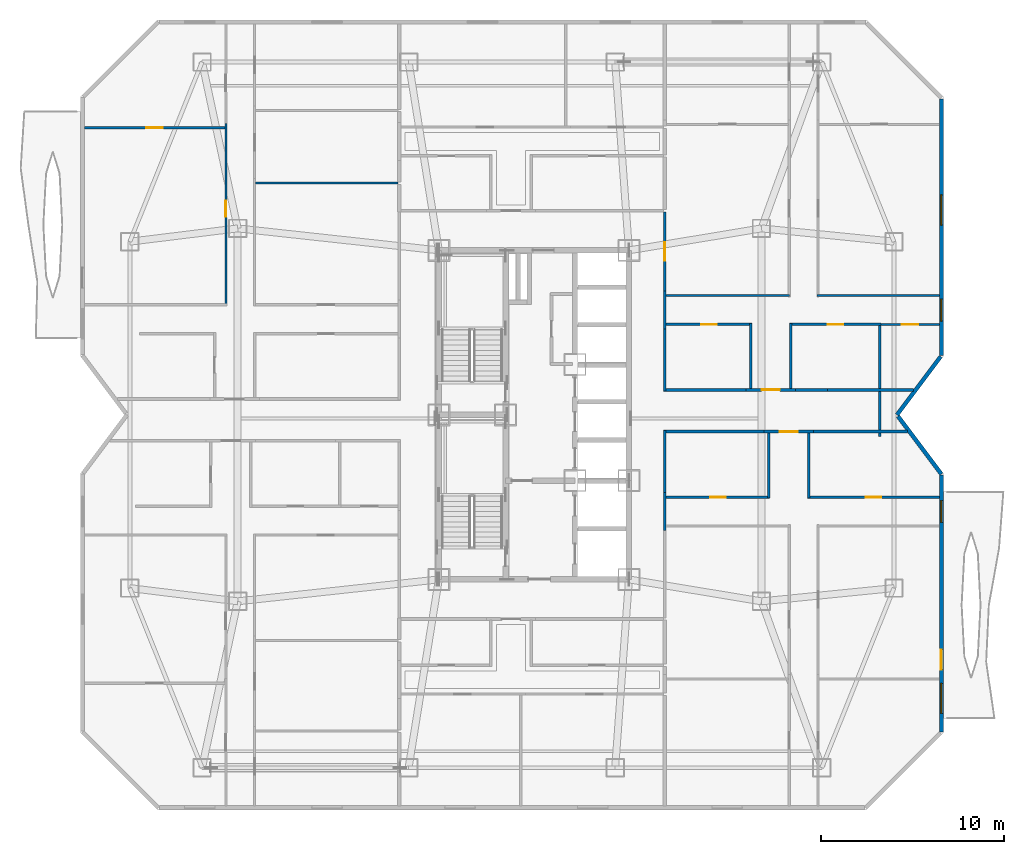
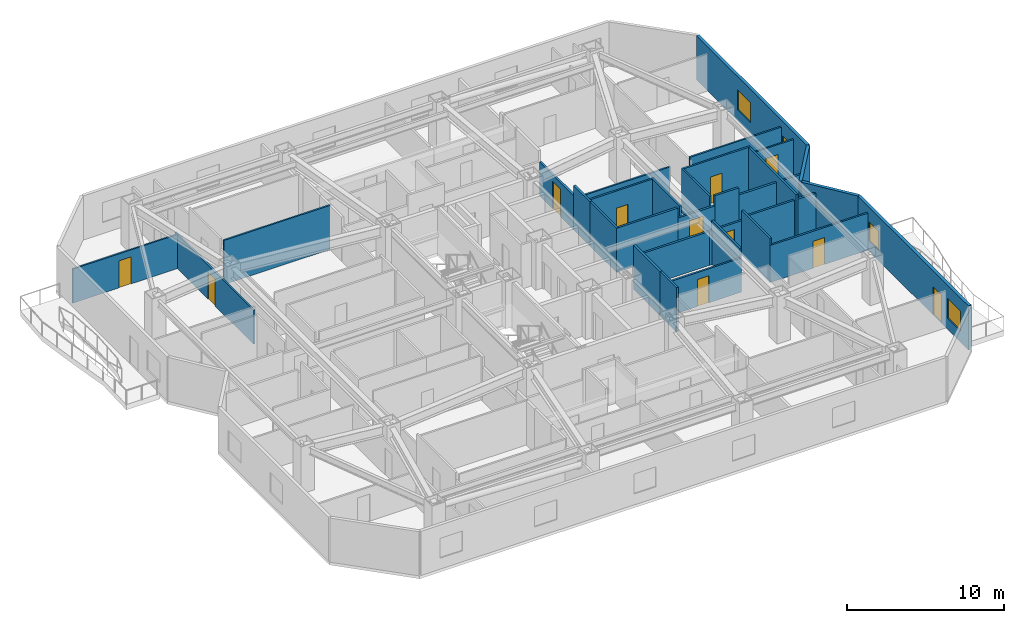
# One storey, part 10 of 15: 31 walls, 11 doors, 4 windows, 15 openings.
"""IFC4 building model written with IfcOpenShell, lengths in metres."""

import ifcopenshell
import ifcopenshell.guid

model = None  # the IFC model being written
_history = None  # IfcOwnerHistory: only IFC2X3 demands one
_inside = {}  # id of a spatial element -> (the spatial element, [elements in it])
_under = {}  # id of a project, library or spatial element -> (it, [spatial elements below it])
_declared = {}  # id of a project -> (the project, [libraries it declares])
_typed = {}  # id of a type object -> (the type object, [elements of that type])
_made_of = {}  # id of a material, layer set ... -> (it, [elements and type objects made of it])


def new_model(schema):
    """Start an empty IFC model of exactly this schema.

    Asked for "IFC4X3", IfcOpenShell would pick the latest addendum, in which some entities
    have other attributes; the version numbers below select the first issue.
    IFC2X3 requires an IfcOwnerHistory on every rooted entity: one is made here for all.
    """
    global model, _history
    if schema == "IFC4X3":
        model = ifcopenshell.file(schema_version=(4, 3, 0, 0))
    else:
        model = ifcopenshell.file(schema=schema)
    _inside.clear()
    _under.clear()
    _declared.clear()
    _typed.clear()
    _made_of.clear()
    _history = None
    if model.schema == "IFC2X3":
        org = make("IfcOrganization", Name="unknown")
        user = make(
            "IfcPersonAndOrganization",
            ThePerson=make("IfcPerson", FamilyName="unknown"),
            TheOrganization=org,
        )
        app = make(
            "IfcApplication",
            ApplicationDeveloper=org,
            Version="unknown",
            ApplicationFullName="unknown",
            ApplicationIdentifier="unknown",
        )
        _history = make(
            "IfcOwnerHistory",
            OwningUser=user,
            OwningApplication=app,
            ChangeAction="ADDED",
            CreationDate=0,
        )
    return model


def make(cls, **values):
    """One entity of the class cls with the attributes given. An attribute that is None is left unset."""
    return model.create_entity(
        cls, **{name: value for name, value in values.items() if value is not None}
    )


def rooted(cls, **values):
    """An entity with a GlobalId (a new one), such as an element, a storey or a relation."""
    return make(cls, GlobalId=ifcopenshell.guid.new(), OwnerHistory=_history, **values)


def si_unit(unit_type, name, prefix=None):
    """IfcSIUnit, for example si_unit("LENGTHUNIT", "METRE", prefix="MILLI")."""
    return make("IfcSIUnit", UnitType=unit_type, Prefix=prefix, Name=name)


def assignment(units):
    """IfcUnitAssignment: the units of a project."""
    return None if units is None else make("IfcUnitAssignment", Units=units)


def point(xyz):
    """IfcCartesianPoint."""
    return None if xyz is None else make("IfcCartesianPoint", Coordinates=xyz)


def direction(xyz):
    """IfcDirection."""
    return None if xyz is None else make("IfcDirection", DirectionRatios=xyz)


def frame(location, z_axis=None, x_axis=None):
    """IfcAxis2Placement3D, a coordinate frame: its origin and axes. An axis left out is left unset."""
    return make(
        "IfcAxis2Placement3D",
        Location=point(location),
        Axis=direction(z_axis),
        RefDirection=direction(x_axis),
    )


def frame_2d(location, x_axis=None):
    """IfcAxis2Placement2D, a coordinate frame in the plane: its origin and x axis."""
    return make(
        "IfcAxis2Placement2D", Location=point(location), RefDirection=direction(x_axis)
    )


def origin():
    """The frame at (0, 0, 0) with its axes left unset."""
    return frame((0.0, 0.0, 0.0))


def place(relative_to, where):
    """IfcLocalPlacement: puts the frame where relative to a parent placement (None: the world)."""
    return make(
        "IfcLocalPlacement", PlacementRelTo=relative_to, RelativePlacement=where
    )


def context(
    kind, dimensions, precision=None, world=None, true_north=None, identifier=None
):
    """IfcGeometricRepresentationContext, for example the 3D "Model" context."""
    return make(
        "IfcGeometricRepresentationContext",
        ContextIdentifier=identifier,
        ContextType=kind,
        CoordinateSpaceDimension=dimensions,
        Precision=precision,
        WorldCoordinateSystem=world,
        TrueNorth=true_north,
    )


def subcontext(parent, identifier, kind, view, scale=None):
    """IfcGeometricRepresentationSubContext, for example "Body" below "Model"."""
    return make(
        "IfcGeometricRepresentationSubContext",
        ContextIdentifier=identifier,
        ContextType=kind,
        ParentContext=parent,
        TargetScale=scale,
        TargetView=view,
    )


def project(units=None, contexts=None):
    """IfcProject with its units and contexts."""
    return rooted(
        "IfcProject",
        Name="project",
        RepresentationContexts=contexts,
        UnitsInContext=assignment(units),
    )


def spatial(cls, under=None, at=None, **own):
    """A site, building, storey or space (cls), placed at a placement, below another one or the project."""
    s = rooted(cls, ObjectPlacement=at, **own)
    if under is not None:
        _under.setdefault(under.id(), (under, []))[1].append(s)
    return s


def profile(cls, at=None, kind="AREA", **sizes):
    """A parametric profile (cls). Its sizes go by their IFC names, for example OverallWidth=200.0."""
    return make(cls, ProfileType=kind, Position=at, **sizes)


def rectangle(**sizes):
    """IfcRectangleProfileDef."""
    return profile("IfcRectangleProfileDef", **sizes)


def extrude(swept, where, along, depth):
    """IfcExtrudedAreaSolid: the profile swept, set in the frame where, extruded along a direction by depth."""
    return make(
        "IfcExtrudedAreaSolid",
        SweptArea=swept,
        Position=where,
        ExtrudedDirection=direction(along),
        Depth=depth,
    )


def shape(context_of_items, identifier, shape_type, items):
    """IfcShapeRepresentation: the items that make up one representation, for example the "Body"."""
    return make(
        "IfcShapeRepresentation",
        ContextOfItems=context_of_items,
        RepresentationIdentifier=identifier,
        RepresentationType=shape_type,
        Items=items,
    )


def material(Name=None, Category=None):
    """IfcMaterial."""
    return make("IfcMaterial", Name=Name, Category=Category)


def layer(
    of_material, thickness, ventilated=None, Name=None, Category=None, Priority=None
):
    """IfcMaterialLayer: one layer of a wall or slab, of a material (None: an air gap)."""
    return make(
        "IfcMaterialLayer",
        Material=of_material,
        LayerThickness=thickness,
        IsVentilated=ventilated,
        Name=Name,
        Category=Category,
        Priority=Priority,
    )


def layer_set(layers, Name=None):
    """IfcMaterialLayerSet."""
    return make("IfcMaterialLayerSet", MaterialLayers=layers, LayerSetName=Name)


def made_of(thing, what):
    """Note that an element or type object is made of a material, layer set ...; save() writes the relation."""
    if what is not None:
        _made_of.setdefault(what.id(), (what, []))[1].append(thing)
    return thing


def type_object(cls, material=None, **own):
    """A type object (cls), such as IfcWallType, which elements share."""
    return made_of(rooted(cls, **own), material)


def element(
    cls,
    number,
    at=None,
    inside=None,
    cuts=None,
    type_object=None,
    material=None,
    context=None,
    identifier="Body",
    shape_type=None,
    held_by="IfcProductDefinitionShape",
    body=None,
    shapes=None,
    **own,
):
    """One element of the class cls, such as IfcWall. Its Tag is "e" and its number.

    at: its placement. inside: the storey or other place that contains it. cuts: it is an
    opening in that element (IfcRelVoidsElement). A single representation is given by context,
    identifier, shape_type and body (its items); several are given by shapes. held_by: the class
    of the entity that holds the representations. save() writes the other relations.
    """
    e = rooted(cls, Tag="e%d" % number, ObjectPlacement=at, **own)
    if body is not None:
        shapes = [shape(context, identifier, shape_type, body)]
    if shapes is not None:
        e.Representation = make(held_by, Representations=shapes)
    if inside is not None:
        _inside.setdefault(inside.id(), (inside, []))[1].append(e)
    if cuts is not None:
        rooted(
            "IfcRelVoidsElement", RelatingBuildingElement=cuts, RelatedOpeningElement=e
        )
    if type_object is not None:
        _typed.setdefault(type_object.id(), (type_object, []))[1].append(e)
    return made_of(e, material)


def fill(opening, filler):
    """IfcRelFillsElement: the door or window that sits in an opening."""
    return rooted(
        "IfcRelFillsElement",
        RelatingOpeningElement=opening,
        RelatedBuildingElement=filler,
    )


def aggregate(whole, parts):
    """IfcRelAggregates: a whole, such as a stair, and the parts it consists of."""
    return rooted("IfcRelAggregates", RelatingObject=whole, RelatedObjects=parts)


def save(model, path):
    """Write the relations noted so far, then the file.

    IfcRelAggregates (storeys below a building ...), IfcRelContainedInSpatialStructure (elements
    in a storey), IfcRelDefinesByType, IfcRelAssociatesMaterial and IfcRelDeclares: one each for
    every whole, place, type object, material and project.
    """
    for whole, parts in _under.values():
        aggregate(whole, parts)
    for where, things in _inside.values():
        rooted(
            "IfcRelContainedInSpatialStructure",
            RelatedElements=things,
            RelatingStructure=where,
        )
    for kind, things in _typed.values():
        rooted("IfcRelDefinesByType", RelatedObjects=things, RelatingType=kind)
    for what, things in _made_of.values():
        rooted("IfcRelAssociatesMaterial", RelatedObjects=things, RelatingMaterial=what)
    for by, libraries in _declared.values():
        rooted("IfcRelDeclares", RelatingContext=by, RelatedDefinitions=libraries)
    model.write(path)


model = new_model("IFC4")

# Units and contexts
model_context = context("Model", 3, precision=1e-05, world=origin(), true_north=direction((0.0, 1.0)))
body_context = subcontext(model_context, "Body", "Model", "MODEL_VIEW")
ifc_project = project(units=[si_unit("LENGTHUNIT", "METRE"), si_unit("AREAUNIT", "SQUARE_METRE"), si_unit("VOLUMEUNIT", "CUBIC_METRE"), si_unit("PLANEANGLEUNIT", "RADIAN"), si_unit("MASSUNIT", "GRAM", prefix="KILO")], contexts=[model_context])

# Site, building, storey
site_placement = place(None, origin())
site = spatial("IfcSite", under=ifc_project, at=site_placement, CompositionType="ELEMENT")
building_placement = place(site_placement, origin())
building = spatial("IfcBuilding", under=site, at=building_placement, Name="Khamvora Tower", CompositionType="ELEMENT")
storey_placement = place(building_placement, frame((0.0, 0.0, 101.89990234375)))
storey = spatial("IfcBuildingStorey", under=building, at=storey_placement, Name="L25", CompositionType="ELEMENT", Elevation=101.89990234375)

# Wall, opening, door
ifc_material_1 = material(Name="Fire-Rated Drywall and Steel Stud", Category="steel")
ifc_layer_1 = layer(ifc_material_1, 0.14990234375)
ifc_layer_set_1 = layer_set([ifc_layer_1], Name="Fire-Rated Drywall and Steel Stud")
wall_type_1 = type_object("IfcWallType", Name="WAL-CORR-150", PredefinedType="STANDARD", material=ifc_layer_set_1)
wall_1_placement = place(storey_placement, frame((49.486083984375, 27.0849609375, 0.0), z_axis=(0.0, 0.0, 1.0), x_axis=(-1.0, 0.0, 0.0)))
wall_1 = element("IfcWall", 1, at=wall_1_placement, inside=storey, type_object=wall_type_1, Name="L25 interior partition wall 023", PredefinedType="STANDARD", context=body_context, shape_type="SweptSolid", body=[
    extrude(rectangle(XDim=2.697998046875, YDim=0.14990234375, at=frame_2d((1.34912109375, 0.0))), origin(), (0.0, 0.0, 1.0), 2.647216796875),
])
opening_1_placement = place(wall_1_placement, frame((0.84912109375, 0.0, 0.0)))
opening_1 = element("IfcOpeningElement", 2, at=opening_1_placement, cuts=wall_1, Name="Opening D-U1", PredefinedType="OPENING", context=body_context, shape_type="SweptSolid", body=[
    extrude(rectangle(XDim=1.0, YDim=2.14990234375, at=frame_2d((0.5, 1.074951171875))), frame((0.0, 0.0849609375, 0.0), z_axis=(0.0, -1.0, 0.0), x_axis=(1.0, 0.0, 0.0)), (0.0, 0.0, 1.0), 0.169921875),
])
ifc_material_2 = material(Name="Powder-Coated Steel and Hardwood Leaf", Category="steel")
door_type_1 = type_object("IfcDoorType", Name="DOR-UNIT-1000", OperationType="NOTDEFINED", PredefinedType="DOOR", material=ifc_material_2)
door_1_placement = place(opening_1_placement, origin())
door_1 = element("IfcDoor", 3, at=door_1_placement, inside=storey, type_object=door_type_1, Name="L25 interior door COR-25EAH", OperationType="SINGLE_SWING_LEFT", OverallHeight=2.14990234375, OverallWidth=1.0, PredefinedType="DOOR", context=body_context, shape_type="SweptSolid", body=[
    extrude(rectangle(XDim=1.0, YDim=2.14990234375, at=frame_2d((0.5, 1.074951171875))), frame((0.0, 0.02490234375, 0.0), z_axis=(0.0, -1.0, 0.0), x_axis=(1.0, 0.0, 0.0)), (0.0, 0.0, 1.0), 0.050048828125),
])
fill(opening_1, door_1)

# Walls
wall_2_placement = place(storey_placement, frame((41.364990234375, 23.75390625, 0.0), z_axis=(0.0, 0.0, 1.0), x_axis=(0.0, -1.0, 0.0)))
element("IfcWall", 4, at=wall_2_placement, inside=storey, type_object=wall_type_1, Name="L25 interior partition wall 024", PredefinedType="STANDARD", context=body_context, shape_type="SweptSolid", body=[
    extrude(rectangle(XDim=2.077880859375, YDim=0.14990234375, at=frame_2d((1.0390625, 0.0))), origin(), (0.0, 0.0, 1.0), 3.43017578125),
])
wall_3_placement = place(storey_placement, frame((46.7880859375, 27.0849609375, 0.0), z_axis=(0.0, 0.0, 1.0), x_axis=(-1.0, 0.0, 0.0)))
element("IfcWall", 5, at=wall_3_placement, inside=storey, type_object=wall_type_1, Name="L25 interior partition wall 025", PredefinedType="STANDARD", context=body_context, shape_type="SweptSolid", body=[
    extrude(rectangle(XDim=5.488037109375, YDim=0.14990234375, at=frame_2d((2.744140625, 0.0))), origin(), (0.0, 0.0, 1.0), 2.647216796875),
])
wall_4_placement = place(storey_placement, frame((41.364990234375, 27.14794921875, 0.0), z_axis=(0.0, 0.0, 1.0), x_axis=(0.0, -1.0, 0.0)))
element("IfcWall", 6, at=wall_4_placement, inside=storey, type_object=wall_type_1, Name="L25 interior partition wall 026", PredefinedType="STANDARD", context=body_context, shape_type="SweptSolid", body=[
    extrude(rectangle(XDim=3.39404296875, YDim=0.14990234375, at=frame_2d((1.697021484375, 0.0))), origin(), (0.0, 0.0, 1.0), 3.43017578125),
])
wall_5_placement = place(storey_placement, frame((54.636962890625, 27.0849609375, 0.0), z_axis=(0.0, 0.0, 1.0), x_axis=(-1.0, 0.0, 0.0)))
element("IfcWall", 7, at=wall_5_placement, inside=storey, type_object=wall_type_1, Name="L25 interior partition wall 027", PredefinedType="STANDARD", context=body_context, shape_type="SweptSolid", body=[
    extrude(rectangle(XDim=5.15087890625, YDim=0.14990234375, at=frame_2d((2.575439453125, 0.0))), origin(), (0.0, 0.0, 1.0), 2.8759765625),
])
wall_6_placement = place(storey_placement, frame((50.27197265625, 29.364990234375, 0.0), z_axis=(0.0, 0.0, 1.0), x_axis=(1.0, 0.0, 0.0)))
element("IfcWall", 8, at=wall_6_placement, inside=storey, type_object=wall_type_1, Name="L25 interior partition wall 029", PredefinedType="STANDARD", context=body_context, shape_type="SweptSolid", body=[
    extrude(rectangle(XDim=4.7021484375, YDim=0.14990234375, at=frame_2d((2.35107421875, 0.0))), origin(), (0.0, 0.0, 1.0), 2.8759765625),
])
wall_7_placement = place(storey_placement, frame((41.364990234375, 34.77392578125, 0.0), z_axis=(0.0, 0.0, 1.0), x_axis=(0.0, -1.0, 0.0)))
element("IfcWall", 9, at=wall_7_placement, inside=storey, type_object=wall_type_1, Name="L25 interior partition wall 030", PredefinedType="STANDARD", context=body_context, shape_type="SweptSolid", body=[
    extrude(rectangle(XDim=2.077880859375, YDim=0.14990234375, at=frame_2d((1.0390625, 0.0))), origin(), (0.0, 0.0, 1.0), 3.43017578125),
])

# Wall, opening, door
wall_8_placement = place(storey_placement, frame((45.806884765625, 29.364990234375, 0.0), z_axis=(0.0, 0.0, 1.0), x_axis=(1.0, 0.0, 0.0)))
wall_8 = element("IfcWall", 10, at=wall_8_placement, inside=storey, type_object=wall_type_1, Name="L25 interior partition wall 031", PredefinedType="STANDARD", context=body_context, shape_type="SweptSolid", body=[
    extrude(rectangle(XDim=2.697998046875, YDim=0.14990234375, at=frame_2d((1.34912109375, 0.0))), origin(), (0.0, 0.0, 1.0), 2.647216796875),
])
opening_2_placement = place(wall_8_placement, frame((0.84912109375, 0.0, 0.0)))
opening_2 = element("IfcOpeningElement", 11, at=opening_2_placement, cuts=wall_8, Name="Opening D-U1", PredefinedType="OPENING", context=body_context, shape_type="SweptSolid", body=[
    extrude(rectangle(XDim=1.0, YDim=2.14990234375, at=frame_2d((0.5, 1.074951171875))), frame((0.0, 0.0849609375, 0.0), z_axis=(0.0, -1.0, 0.0), x_axis=(1.0, 0.0, 0.0)), (0.0, 0.0, 1.0), 0.169921875),
])
door_2_placement = place(opening_2_placement, origin())
door_2 = element("IfcDoor", 12, at=door_2_placement, inside=storey, type_object=door_type_1, Name="L25 interior door COR-25EBH", OperationType="SINGLE_SWING_RIGHT", OverallHeight=2.14990234375, OverallWidth=1.0, PredefinedType="DOOR", context=body_context, shape_type="SweptSolid", body=[
    extrude(rectangle(XDim=1.0, YDim=2.14990234375, at=frame_2d((0.5, 1.074951171875))), frame((0.0, 0.02490234375, 0.0), z_axis=(0.0, -1.0, 0.0), x_axis=(1.0, 0.0, 0.0)), (0.0, 0.0, 1.0), 0.050048828125),
])
fill(opening_2, door_2)

# Walls
wall_9_placement = place(storey_placement, frame((41.364990234375, 32.696044921875, 0.0), z_axis=(0.0, 0.0, 1.0), x_axis=(0.0, -1.0, 0.0)))
element("IfcWall", 13, at=wall_9_placement, inside=storey, type_object=wall_type_1, Name="L25 interior partition wall 032", PredefinedType="STANDARD", context=body_context, shape_type="SweptSolid", body=[
    extrude(rectangle(XDim=3.39599609375, YDim=0.14990234375, at=frame_2d((1.697998046875, 0.0))), origin(), (0.0, 0.0, 1.0), 3.43017578125),
])
wall_10_placement = place(storey_placement, frame((41.300048828125, 29.364990234375, 0.0), z_axis=(0.0, 0.0, 1.0), x_axis=(1.0, 0.0, 0.0)))
element("IfcWall", 14, at=wall_10_placement, inside=storey, type_object=wall_type_1, Name="L25 interior partition wall 033", PredefinedType="STANDARD", context=body_context, shape_type="SweptSolid", body=[
    extrude(rectangle(XDim=4.5068359375, YDim=0.14990234375, at=frame_2d((2.25341796875, 0.0))), origin(), (0.0, 0.0, 1.0), 3.43017578125),
])
wall_11_placement = place(storey_placement, frame((48.5048828125, 29.364990234375, 0.0), z_axis=(0.0, 0.0, 1.0), x_axis=(1.0, 0.0, 0.0)))
element("IfcWall", 15, at=wall_11_placement, inside=storey, type_object=wall_type_1, Name="L25 interior partition wall 034", PredefinedType="STANDARD", context=body_context, shape_type="SweptSolid", body=[
    extrude(rectangle(XDim=1.76708984375, YDim=0.14990234375, at=frame_2d((0.883544921875, 0.0))), origin(), (0.0, 0.0, 1.0), 3.43017578125),
])

# Wall, opening, door
wall_12_placement = place(storey_placement, frame((41.364990234375, 39.10009765625, 0.0), z_axis=(0.0, 0.0, 1.0), x_axis=(0.0, -1.0, 0.0)))
wall_12 = element("IfcWall", 16, at=wall_12_placement, inside=storey, type_object=wall_type_1, Name="L25 interior partition wall 035", PredefinedType="STANDARD", context=body_context, shape_type="SweptSolid", body=[
    extrude(rectangle(XDim=4.326171875, YDim=0.14990234375, at=frame_2d((2.1630859375, 0.0))), origin(), (0.0, 0.0, 1.0), 2.647216796875),
])
opening_3_placement = place(wall_12_placement, frame((1.6630859375, 0.0, 0.0)))
opening_3 = element("IfcOpeningElement", 17, at=opening_3_placement, cuts=wall_12, Name="Opening D-U1", PredefinedType="OPENING", context=body_context, shape_type="SweptSolid", body=[
    extrude(rectangle(XDim=1.0, YDim=2.14990234375, at=frame_2d((0.5, 1.074951171875))), frame((0.0, 0.0849609375, 0.0), z_axis=(0.0, -1.0, 0.0), x_axis=(1.0, 0.0, 0.0)), (0.0, 0.0, 1.0), 0.169921875),
])
door_3_placement = place(opening_3_placement, origin())
door_3 = element("IfcDoor", 18, at=door_3_placement, inside=storey, type_object=door_type_1, Name="L25 interior door COR-25EBR1", OperationType="SINGLE_SWING_LEFT", OverallHeight=2.14990234375, OverallWidth=1.0, PredefinedType="DOOR", context=body_context, shape_type="SweptSolid", body=[
    extrude(rectangle(XDim=1.0, YDim=2.14990234375, at=frame_2d((0.5, 1.074951171875))), frame((0.0, 0.02490234375, 0.0), z_axis=(0.0, -1.0, 0.0), x_axis=(1.0, 0.0, 0.0)), (0.0, 0.0, 1.0), 0.050048828125),
])
fill(opening_3, door_3)

# Wall, openings, windows
ifc_material_3 = material(Name="Precast concrete C40/50", Category="concrete")
ifc_layer_2 = layer(ifc_material_3, 0.219970703125)
ifc_layer_set_2 = layer_set([ifc_layer_2], Name="Precast concrete C40/50")
wall_type_2 = type_object("IfcWallType", Name="WAL-EXT-220", PredefinedType="STANDARD", material=ifc_layer_set_2)
wall_13_placement = place(storey_placement, frame((56.489990234375, 45.282958984375, 0.0), z_axis=(0.0, 0.0, 1.0), x_axis=(0.0, -1.0, 0.0)))
wall_13 = element("IfcWall", 19, at=wall_13_placement, inside=storey, type_object=wall_type_2, Name="L25 exterior facade wall 09.1", PredefinedType="STANDARD", context=body_context, shape_type="SweptSolid", body=[
    extrude(rectangle(XDim=14.0458984375, YDim=0.219970703125, at=frame_2d((7.02294921875, 0.0))), origin(), (0.0, 0.0, 1.0), 3.43017578125),
])
opening_4_placement = place(wall_13_placement, frame((10.947998046875, 0.0, 0.800048828125)))
opening_4 = element("IfcOpeningElement", 20, at=opening_4_placement, cuts=wall_13, Name="Opening WN-03", PredefinedType="OPENING", context=body_context, shape_type="SweptSolid", body=[
    extrude(rectangle(XDim=1.199951171875, YDim=1.5, at=frame_2d((0.60009765625, 0.75))), frame((0.0, 0.119873046875, 0.0), z_axis=(0.0, -1.0, 0.0), x_axis=(1.0, 0.0, 0.0)), (0.0, 0.0, 1.0), 0.239990234375),
])
opening_5_placement = place(wall_13_placement, frame((5.2509765625, 0.0, 0.85009765625)))
opening_5 = element("IfcOpeningElement", 21, at=opening_5_placement, cuts=wall_13, Name="Opening WN-06", PredefinedType="OPENING", context=body_context, shape_type="SweptSolid", body=[
    extrude(rectangle(XDim=1.64990234375, YDim=1.550048828125, at=frame_2d((0.824951171875, 0.77490234375))), frame((0.0, 0.119873046875, 0.0), z_axis=(0.0, -1.0, 0.0), x_axis=(1.0, 0.0, 0.0)), (0.0, 0.0, 1.0), 0.239990234375),
])
ifc_material_4 = material(Name="Low-E Laminated Double Glazing", Category="glass")
window_type_1 = type_object("IfcWindowType", Name="WIN-VIS-1200x1500", PartitioningType="SINGLE_PANEL", PredefinedType="WINDOW", material=ifc_material_4)
window_1_placement = place(opening_4_placement, origin())
window_1 = element("IfcWindow", 22, at=window_1_placement, inside=storey, type_object=window_type_1, Name="L25 vision window 09.1.01", OverallHeight=1.5, OverallWidth=1.199951171875, PartitioningType="SINGLE_PANEL", PredefinedType="WINDOW", context=body_context, shape_type="SweptSolid", body=[
    extrude(rectangle(XDim=1.199951171875, YDim=1.5, at=frame_2d((0.60009765625, 0.75))), frame((0.0, 0.030029296875, 0.0), z_axis=(0.0, -1.0, 0.0), x_axis=(1.0, 0.0, 0.0)), (0.0, 0.0, 1.0), 0.06005859375),
])
fill(opening_4, window_1)
window_type_2 = type_object("IfcWindowType", Name="WIN-VIS-1650x1550", PartitioningType="SINGLE_PANEL", PredefinedType="WINDOW", material=ifc_material_4)
window_2_placement = place(opening_5_placement, origin())
window_2 = element("IfcWindow", 23, at=window_2_placement, inside=storey, type_object=window_type_2, Name="L25 vision window 09.1.02", OverallHeight=1.550048828125, OverallWidth=1.64990234375, PartitioningType="SINGLE_PANEL", PredefinedType="WINDOW", context=body_context, shape_type="SweptSolid", body=[
    extrude(rectangle(XDim=1.64990234375, YDim=1.550048828125, at=frame_2d((0.824951171875, 0.77490234375))), frame((0.0, 0.030029296875, 0.0), z_axis=(0.0, -1.0, 0.0), x_axis=(1.0, 0.0, 0.0)), (0.0, 0.0, 1.0), 0.06005859375),
])
fill(opening_5, window_2)

# Walls
wall_14_placement = place(storey_placement, frame((56.4560546875, 31.19091796875, 0.0), z_axis=(0.0, 0.0, 1.0), x_axis=(-0.600137081448, -0.799897170561, 0.0)))
element("IfcWall", 24, at=wall_14_placement, inside=storey, type_object=wall_type_2, Name="L25 exterior facade wall 10.1", PredefinedType="STANDARD", context=body_context, shape_type="SweptSolid", body=[
    extrude(rectangle(XDim=3.9892578125, YDim=0.219970703125, at=frame_2d((1.99462890625, 0.0))), origin(), (0.0, 0.0, 1.0), 3.43017578125),
])
wall_15_placement = place(storey_placement, frame((54.118896484375, 27.924072265625, 0.0), z_axis=(0.0, 0.0, 1.0), x_axis=(0.600039540588, -0.799970343032, 0.0)))
element("IfcWall", 25, at=wall_15_placement, inside=storey, type_object=wall_type_2, Name="L25 exterior facade wall 11.1", PredefinedType="STANDARD", context=body_context, shape_type="SweptSolid", body=[
    extrude(rectangle(XDim=3.95166015625, YDim=0.219970703125, at=frame_2d((1.975830078125, 0.0))), origin(), (0.0, 0.0, 1.0), 3.43017578125),
])

# Wall, openings, door, windows
wall_16_placement = place(storey_placement, frame((56.489990234375, 24.70703125, 0.0), z_axis=(0.0, 0.0, 1.0), x_axis=(0.0, -1.0, 0.0)))
wall_16 = element("IfcWall", 26, at=wall_16_placement, inside=storey, type_object=wall_type_2, Name="L25 exterior facade wall 12.1", PredefinedType="STANDARD", context=body_context, shape_type="SweptSolid", body=[
    extrude(rectangle(XDim=14.06103515625, YDim=0.219970703125, at=frame_2d((7.030517578125, 0.0))), origin(), (0.0, 0.0, 1.0), 3.43017578125),
])
opening_6_placement = place(wall_16_placement, frame((9.54296875, 0.0, 0.0)))
opening_6 = element("IfcOpeningElement", 27, at=opening_6_placement, cuts=wall_16, Name="Opening BD-01", PredefinedType="OPENING", context=body_context, shape_type="SweptSolid", body=[
    extrude(rectangle(XDim=1.10009765625, YDim=2.199951171875, at=frame_2d((0.550048828125, 1.10009765625))), frame((0.0, 0.119873046875, 0.0), z_axis=(0.0, -1.0, 0.0), x_axis=(1.0, 0.0, 0.0)), (0.0, 0.0, 1.0), 0.239990234375),
])
opening_7_placement = place(wall_16_placement, frame((1.39208984375, 0.0, 0.800048828125)))
opening_7 = element("IfcOpeningElement", 28, at=opening_7_placement, cuts=wall_16, Name="Opening WN-03", PredefinedType="OPENING", context=body_context, shape_type="SweptSolid", body=[
    extrude(rectangle(XDim=1.199951171875, YDim=1.5, at=frame_2d((0.60009765625, 0.75))), frame((0.0, 0.119873046875, 0.0), z_axis=(0.0, -1.0, 0.0), x_axis=(1.0, 0.0, 0.0)), (0.0, 0.0, 1.0), 0.239990234375),
])
opening_8_placement = place(wall_16_placement, frame((11.39111328125, 0.0, 0.85009765625)))
opening_8 = element("IfcOpeningElement", 29, at=opening_8_placement, cuts=wall_16, Name="Opening WN-06", PredefinedType="OPENING", context=body_context, shape_type="SweptSolid", body=[
    extrude(rectangle(XDim=1.64990234375, YDim=1.550048828125, at=frame_2d((0.824951171875, 0.77490234375))), frame((0.0, 0.119873046875, 0.0), z_axis=(0.0, -1.0, 0.0), x_axis=(1.0, 0.0, 0.0)), (0.0, 0.0, 1.0), 0.239990234375),
])
ifc_material_5 = material(Name="Anodised Aluminium and Laminated Safety Glass", Category="aluminium")
door_type_2 = type_object("IfcDoorType", Name="DOR-BAL-1100", OperationType="NOTDEFINED", PredefinedType="DOOR", material=ifc_material_5)
door_4_placement = place(opening_6_placement, origin())
door_4 = element("IfcDoor", 30, at=door_4_placement, inside=storey, type_object=door_type_2, Name="L25 lens gallery balcony door EL1", OperationType="SLIDING_TO_LEFT", OverallHeight=2.199951171875, OverallWidth=1.10009765625, PredefinedType="DOOR", context=body_context, shape_type="SweptSolid", body=[
    extrude(rectangle(XDim=1.10009765625, YDim=2.199951171875, at=frame_2d((0.550048828125, 1.10009765625))), frame((0.0, 0.02490234375, 0.0), z_axis=(0.0, -1.0, 0.0), x_axis=(1.0, 0.0, 0.0)), (0.0, 0.0, 1.0), 0.050048828125),
])
fill(opening_6, door_4)
window_3_placement = place(opening_7_placement, origin())
window_3 = element("IfcWindow", 31, at=window_3_placement, inside=storey, type_object=window_type_1, Name="L25 vision window 12.1.01", OverallHeight=1.5, OverallWidth=1.199951171875, PartitioningType="SINGLE_PANEL", PredefinedType="WINDOW", context=body_context, shape_type="SweptSolid", body=[
    extrude(rectangle(XDim=1.199951171875, YDim=1.5, at=frame_2d((0.60009765625, 0.75))), frame((0.0, 0.030029296875, 0.0), z_axis=(0.0, -1.0, 0.0), x_axis=(1.0, 0.0, 0.0)), (0.0, 0.0, 1.0), 0.06005859375),
])
fill(opening_7, window_3)
window_4_placement = place(opening_8_placement, origin())
window_4 = element("IfcWindow", 32, at=window_4_placement, inside=storey, type_object=window_type_2, Name="L25 vision window 12.1.02", OverallHeight=1.550048828125, OverallWidth=1.64990234375, PartitioningType="SINGLE_PANEL", PredefinedType="WINDOW", context=body_context, shape_type="SweptSolid", body=[
    extrude(rectangle(XDim=1.64990234375, YDim=1.550048828125, at=frame_2d((0.824951171875, 0.77490234375))), frame((0.0, 0.030029296875, 0.0), z_axis=(0.0, -1.0, 0.0), x_axis=(1.0, 0.0, 0.0)), (0.0, 0.0, 1.0), 0.06005859375),
])
fill(opening_8, window_4)

# Wall, opening, door
ifc_material_6 = material(Name="Gypsum Plasterboard Partition", Category="gypsum")
ifc_layer_3 = layer(ifc_material_6, 0.1201171875)
ifc_layer_set_3 = layer_set([ifc_layer_3], Name="Gypsum Plasterboard Partition")
wall_type_3 = type_object("IfcWallType", Name="WAL-PART-120", PredefinedType="PARTITIONING", material=ifc_layer_set_3)
wall_17_placement = place(storey_placement, frame((17.35498046875, 33.9599609375, 0.0), z_axis=(0.0, 0.0, 1.0), x_axis=(0.0, 1.0, 0.0)))
wall_17 = element("IfcWall", 33, at=wall_17_placement, inside=storey, type_object=wall_type_3, Name="L25 interior partition wall 062", PredefinedType="PARTITIONING", context=body_context, shape_type="SweptSolid", body=[
    extrude(rectangle(XDim=9.989990234375, YDim=0.1201171875, at=frame_2d((4.9951171875, 0.0))), origin(), (0.0, 0.0, 1.0), 2.647216796875),
])
opening_9_placement = place(wall_17_placement, frame((4.865966796875, 0.0, 0.0)))
opening_9 = element("IfcOpeningElement", 34, at=opening_9_placement, cuts=wall_17, Name="Opening D-RM1", PredefinedType="OPENING", context=body_context, shape_type="SweptSolid", body=[
    extrude(rectangle(XDim=0.89990234375, YDim=2.10009765625, at=frame_2d((0.449951171875, 1.050048828125))), frame((0.0, 0.070068359375, 0.0), z_axis=(0.0, -1.0, 0.0), x_axis=(1.0, 0.0, 0.0)), (0.0, 0.0, 1.0), 0.14013671875),
])
door_type_3 = type_object("IfcDoorType", Name="DOR-ROOM-900", OperationType="NOTDEFINED", PredefinedType="DOOR", material=ifc_material_2)
door_5_placement = place(opening_9_placement, origin())
door_5 = element("IfcDoor", 35, at=door_5_placement, inside=storey, type_object=door_type_3, Name="L25 interior door 25WBH-25WBR1", OperationType="SINGLE_SWING_RIGHT", OverallHeight=2.10009765625, OverallWidth=0.89990234375, PredefinedType="DOOR", context=body_context, shape_type="SweptSolid", body=[
    extrude(rectangle(XDim=0.89990234375, YDim=2.10009765625, at=frame_2d((0.449951171875, 1.050048828125))), frame((0.0, 0.02490234375, 0.0), z_axis=(0.0, -1.0, 0.0), x_axis=(1.0, 0.0, 0.0)), (0.0, 0.0, 1.0), 0.050048828125),
])
fill(opening_9, door_5)

wall_18_placement = place(storey_placement, frame((9.612060546875, 43.700927734375, 0.0), z_axis=(0.0, 0.0, 1.0), x_axis=(1.0, 0.0, 0.0)))
wall_18 = element("IfcWall", 36, at=wall_18_placement, inside=storey, type_object=wall_type_3, Name="L25 interior partition wall 068", PredefinedType="PARTITIONING", context=body_context, shape_type="SweptSolid", body=[
    extrude(rectangle(XDim=7.68896484375, YDim=0.1201171875, at=frame_2d((3.844482421875, 0.0))), origin(), (0.0, 0.0, 1.0), 2.647216796875),
])
opening_10_placement = place(wall_18_placement, frame((3.39404296875, 0.0, 0.0)))
opening_10 = element("IfcOpeningElement", 37, at=opening_10_placement, cuts=wall_18, Name="Opening D-RM1", PredefinedType="OPENING", context=body_context, shape_type="SweptSolid", body=[
    extrude(rectangle(XDim=0.89990234375, YDim=2.10009765625, at=frame_2d((0.449951171875, 1.050048828125))), frame((0.0, 0.070068359375, 0.0), z_axis=(0.0, -1.0, 0.0), x_axis=(1.0, 0.0, 0.0)), (0.0, 0.0, 1.0), 0.14013671875),
])
door_6_placement = place(opening_10_placement, origin())
door_6 = element("IfcDoor", 38, at=door_6_placement, inside=storey, type_object=door_type_3, Name="L25 interior door 25WBR1-25WBR2", OperationType="SINGLE_SWING_RIGHT", OverallHeight=2.10009765625, OverallWidth=0.89990234375, PredefinedType="DOOR", context=body_context, shape_type="SweptSolid", body=[
    extrude(rectangle(XDim=0.89990234375, YDim=2.10009765625, at=frame_2d((0.449951171875, 1.050048828125))), frame((0.0, 0.02490234375, 0.0), z_axis=(0.0, -1.0, 0.0), x_axis=(1.0, 0.0, 0.0)), (0.0, 0.0, 1.0), 0.050048828125),
])
fill(opening_10, door_6)

# Wall
wall_19_placement = place(storey_placement, frame((18.97900390625, 40.678955078125, 0.0), z_axis=(0.0, 0.0, 1.0), x_axis=(1.0, 0.0, 0.0)))
element("IfcWall", 39, at=wall_19_placement, inside=storey, type_object=wall_type_3, Name="L25 interior partition wall 069", PredefinedType="PARTITIONING", context=body_context, shape_type="SweptSolid", body=[
    extrude(rectangle(XDim=7.791015625, YDim=0.1201171875, at=frame_2d((3.8955078125, 0.0))), origin(), (0.0, 0.0, 1.0), 3.43017578125),
])

# Wall, opening, door
wall_20_placement = place(storey_placement, frame((53.18603515625, 32.945068359375, 0.0), z_axis=(0.0, 0.0, 1.0), x_axis=(1.0, 0.0, 0.0)))
wall_20 = element("IfcWall", 40, at=wall_20_placement, inside=storey, type_object=wall_type_3, Name="L25 interior partition wall 110", PredefinedType="PARTITIONING", context=body_context, shape_type="SweptSolid", body=[
    extrude(rectangle(XDim=3.201904296875, YDim=0.1201171875, at=frame_2d((1.60107421875, 0.0))), origin(), (0.0, 0.0, 1.0), 2.8759765625),
])
opening_11_placement = place(wall_20_placement, frame((1.15087890625, 0.0, 0.0)))
opening_11 = element("IfcOpeningElement", 41, at=opening_11_placement, cuts=wall_20, Name="Opening D-RM1", PredefinedType="OPENING", context=body_context, shape_type="SweptSolid", body=[
    extrude(rectangle(XDim=0.89990234375, YDim=2.10009765625, at=frame_2d((0.449951171875, 1.050048828125))), frame((0.0, 0.070068359375, 0.0), z_axis=(0.0, -1.0, 0.0), x_axis=(1.0, 0.0, 0.0)), (0.0, 0.0, 1.0), 0.14013671875),
])
door_7_placement = place(opening_11_placement, origin())
door_7 = element("IfcDoor", 42, at=door_7_placement, inside=storey, type_object=door_type_3, Name="L25 interior door 25EBW2-25EBH", OperationType="SINGLE_SWING_RIGHT", OverallHeight=2.10009765625, OverallWidth=0.89990234375, PredefinedType="DOOR", context=body_context, shape_type="SweptSolid", body=[
    extrude(rectangle(XDim=0.89990234375, YDim=2.10009765625, at=frame_2d((0.449951171875, 1.050048828125))), frame((0.0, 0.02490234375, 0.0), z_axis=(0.0, -1.0, 0.0), x_axis=(1.0, 0.0, 0.0)), (0.0, 0.0, 1.0), 0.050048828125),
])
fill(opening_11, door_7)

# Walls
wall_21_placement = place(storey_placement, frame((41.431884765625, 34.52490234375, 0.0), z_axis=(0.0, 0.0, 1.0), x_axis=(1.0, 0.0, 0.0)))
element("IfcWall", 43, at=wall_21_placement, inside=storey, type_object=wall_type_3, Name="L25 interior partition wall 116", PredefinedType="PARTITIONING", context=body_context, shape_type="SweptSolid", body=[
    extrude(rectangle(XDim=6.759033203125, YDim=0.1201171875, at=frame_2d((3.37939453125, 0.0))), origin(), (0.0, 0.0, 1.0), 2.647216796875),
])
wall_22_placement = place(storey_placement, frame((49.679931640625, 34.52490234375, 0.0), z_axis=(0.0, 0.0, 1.0), x_axis=(1.0, 0.0, 0.0)))
element("IfcWall", 44, at=wall_22_placement, inside=storey, type_object=wall_type_3, Name="L25 interior partition wall 120", PredefinedType="PARTITIONING", context=body_context, shape_type="SweptSolid", body=[
    extrude(rectangle(XDim=6.7080078125, YDim=0.1201171875, at=frame_2d((3.35400390625, 0.0))), origin(), (0.0, 0.0, 1.0), 2.8759765625),
])

# Wall, opening, door
ifc_material_7 = material(Name="Moisture-Resistant Plasterboard Partition", Category="gypsum")
ifc_layer_4 = layer(ifc_material_7, 0.135009765625)
ifc_layer_set_4 = layer_set([ifc_layer_4], Name="Moisture-Resistant Plasterboard Partition")
wall_type_4 = type_object("IfcWallType", Name="WAL-WET-135", PredefinedType="PARTITIONING", material=ifc_layer_set_4)
wall_23_placement = place(storey_placement, frame((41.431884765625, 23.5048828125, 0.0), z_axis=(0.0, 0.0, 1.0), x_axis=(1.0, 0.0, 0.0)))
wall_23 = element("IfcWall", 45, at=wall_23_placement, inside=storey, type_object=wall_type_4, Name="L25 interior partition wall 098", PredefinedType="PARTITIONING", context=body_context, shape_type="SweptSolid", body=[
    extrude(rectangle(XDim=5.670166015625, YDim=0.135009765625, at=frame_2d((2.8349609375, 0.0))), origin(), (0.0, 0.0, 1.0), 2.647216796875),
])
opening_12_placement = place(wall_23_placement, frame((2.409912109375, 0.0, 0.0)))
opening_12 = element("IfcOpeningElement", 46, at=opening_12_placement, cuts=wall_23, Name="Opening D-WC1", PredefinedType="OPENING", context=body_context, shape_type="SweptSolid", body=[
    extrude(rectangle(XDim=0.85009765625, YDim=2.10009765625, at=frame_2d((0.425048828125, 1.050048828125))), frame((0.0, 0.077392578125, 0.0), z_axis=(0.0, -1.0, 0.0), x_axis=(1.0, 0.0, 0.0)), (0.0, 0.0, 1.0), 0.155029296875),
])
door_type_4 = type_object("IfcDoorType", Name="DOR-WET-850", OperationType="NOTDEFINED", PredefinedType="DOOR", material=ifc_material_2)
door_8_placement = place(opening_12_placement, origin())
door_8 = element("IfcDoor", 47, at=door_8_placement, inside=storey, type_object=door_type_4, Name="L25 interior door 25EAH-25EAB", OperationType="SINGLE_SWING_LEFT", OverallHeight=2.10009765625, OverallWidth=0.85009765625, PredefinedType="DOOR", context=body_context, shape_type="SweptSolid", body=[
    extrude(rectangle(XDim=0.85009765625, YDim=2.10009765625, at=frame_2d((0.425048828125, 1.050048828125))), frame((0.0, 0.02490234375, 0.0), z_axis=(0.0, -1.0, 0.0), x_axis=(1.0, 0.0, 0.0)), (0.0, 0.0, 1.0), 0.050048828125),
])
fill(opening_12, door_8)

# Walls
for number, where, z_axis, x_axis, name in (
    (48, (47.037109375, 23.43994140625, 0.0), (0.0, 0.0, 1.0), (0.0, 1.0, 0.0), "L25 interior partition wall 099"),
    (49, (49.237060546875, 27.02001953125, 0.0), (0.0, 0.0, 1.0), (0.0, -1.0, 0.0), "L25 interior partition wall 100"),
):
    element("IfcWall", number, at=place(storey_placement, frame(where, z_axis=z_axis, x_axis=x_axis)), inside=storey, type_object=wall_type_4, Name=name, PredefinedType="PARTITIONING", context=body_context, shape_type="SweptSolid", body=[
        extrude(rectangle(XDim=3.580078125, YDim=0.135009765625, at=frame_2d((1.7900390625, 0.0))), origin(), (0.0, 0.0, 1.0), 3.43017578125),
    ])

# Wall, opening, door
wall_24_placement = place(storey_placement, frame((49.172119140625, 23.5048828125, 0.0), z_axis=(0.0, 0.0, 1.0), x_axis=(1.0, 0.0, 0.0)))
wall_24 = element("IfcWall", 50, at=wall_24_placement, inside=storey, type_object=wall_type_4, Name="L25 interior partition wall 101", PredefinedType="PARTITIONING", context=body_context, shape_type="SweptSolid", body=[
    extrude(rectangle(XDim=7.2158203125, YDim=0.135009765625, at=frame_2d((3.60791015625, 0.0))), origin(), (0.0, 0.0, 1.0), 2.8759765625),
])
opening_13_placement = place(wall_24_placement, frame((3.18310546875, 0.0, 0.0)))
opening_13 = element("IfcOpeningElement", 51, at=opening_13_placement, cuts=wall_24, Name="Opening D-RM2", PredefinedType="OPENING", context=body_context, shape_type="SweptSolid", body=[
    extrude(rectangle(XDim=0.85009765625, YDim=2.10009765625, at=frame_2d((0.425048828125, 1.050048828125))), frame((0.0, 0.077392578125, 0.0), z_axis=(0.0, -1.0, 0.0), x_axis=(1.0, 0.0, 0.0)), (0.0, 0.0, 1.0), 0.155029296875),
])
door_type_5 = type_object("IfcDoorType", Name="DOR-ROOM-850", OperationType="NOTDEFINED", PredefinedType="DOOR", material=ifc_material_2)
door_9_placement = place(opening_13_placement, origin())
door_9 = element("IfcDoor", 52, at=door_9_placement, inside=storey, type_object=door_type_5, Name="L25 interior door 25EAH-25EAK", OperationType="SINGLE_SWING_RIGHT", OverallHeight=2.10009765625, OverallWidth=0.85009765625, PredefinedType="DOOR", context=body_context, shape_type="SweptSolid", body=[
    extrude(rectangle(XDim=0.85009765625, YDim=2.10009765625, at=frame_2d((0.425048828125, 1.050048828125))), frame((0.0, 0.02490234375, 0.0), z_axis=(0.0, -1.0, 0.0), x_axis=(1.0, 0.0, 0.0)), (0.0, 0.0, 1.0), 0.050048828125),
])
fill(opening_13, door_9)

# Walls
wall_25_placement = place(storey_placement, frame((53.12109375, 26.830078125, 0.0), z_axis=(0.0, 0.0, 1.0), x_axis=(0.0, 1.0, 0.0)))
element("IfcWall", 53, at=wall_25_placement, inside=storey, type_object=wall_type_4, Name="L25 interior partition wall 111", PredefinedType="PARTITIONING", context=body_context, shape_type="SweptSolid", body=[
    extrude(rectangle(XDim=6.0498046875, YDim=0.135009765625, at=frame_2d((3.02490234375, 0.0))), origin(), (0.0, 0.0, 1.0), 3.43017578125),
])
wall_26_placement = place(storey_placement, frame((46.055908203125, 29.429931640625, 0.0), z_axis=(0.0, 0.0, 1.0), x_axis=(0.0, 1.0, 0.0)))
element("IfcWall", 54, at=wall_26_placement, inside=storey, type_object=wall_type_4, Name="L25 interior partition wall 112", PredefinedType="PARTITIONING", context=body_context, shape_type="SweptSolid", body=[
    extrude(rectangle(XDim=3.580078125, YDim=0.135009765625, at=frame_2d((1.7900390625, 0.0))), origin(), (0.0, 0.0, 1.0), 3.43017578125),
])

# Wall, opening, door
wall_27_placement = place(storey_placement, frame((46.12109375, 32.945068359375, 0.0), z_axis=(0.0, 0.0, 1.0), x_axis=(-1.0, 0.0, 0.0)))
wall_27 = element("IfcWall", 55, at=wall_27_placement, inside=storey, type_object=wall_type_4, Name="L25 interior partition wall 113", PredefinedType="PARTITIONING", context=body_context, shape_type="SweptSolid", body=[
    extrude(rectangle(XDim=4.689208984375, YDim=0.135009765625, at=frame_2d((2.3447265625, 0.0))), origin(), (0.0, 0.0, 1.0), 3.43017578125),
])
opening_14_placement = place(wall_27_placement, frame((1.9189453125, 0.0, 0.0)))
opening_14 = element("IfcOpeningElement", 56, at=opening_14_placement, cuts=wall_27, Name="Opening D-WC1", PredefinedType="OPENING", context=body_context, shape_type="SweptSolid", body=[
    extrude(rectangle(XDim=0.85009765625, YDim=2.10009765625, at=frame_2d((0.425048828125, 1.050048828125))), frame((0.0, 0.077392578125, 0.0), z_axis=(0.0, -1.0, 0.0), x_axis=(1.0, 0.0, 0.0)), (0.0, 0.0, 1.0), 0.155029296875),
])
door_10_placement = place(opening_14_placement, origin())
door_10 = element("IfcDoor", 57, at=door_10_placement, inside=storey, type_object=door_type_4, Name="L25 interior door 25EBH-25EBB", OperationType="SINGLE_SWING_LEFT", OverallHeight=2.10009765625, OverallWidth=0.85009765625, PredefinedType="DOOR", context=body_context, shape_type="SweptSolid", body=[
    extrude(rectangle(XDim=0.85009765625, YDim=2.10009765625, at=frame_2d((0.425048828125, 1.050048828125))), frame((0.0, 0.02490234375, 0.0), z_axis=(0.0, -1.0, 0.0), x_axis=(1.0, 0.0, 0.0)), (0.0, 0.0, 1.0), 0.050048828125),
])
fill(opening_14, door_10)

wall_28_placement = place(storey_placement, frame((53.18603515625, 32.945068359375, 0.0), z_axis=(0.0, 0.0, 1.0), x_axis=(-1.0, 0.0, 0.0)))
wall_28 = element("IfcWall", 58, at=wall_28_placement, inside=storey, type_object=wall_type_4, Name="L25 interior partition wall 114", PredefinedType="PARTITIONING", context=body_context, shape_type="SweptSolid", body=[
    extrude(rectangle(XDim=4.9951171875, YDim=0.135009765625, at=frame_2d((2.49755859375, 0.0))), origin(), (0.0, 0.0, 1.0), 3.43017578125),
])
opening_15_placement = place(wall_28_placement, frame((2.072998046875, 0.0, 0.0)))
opening_15 = element("IfcOpeningElement", 59, at=opening_15_placement, cuts=wall_28, Name="Opening D-RM2", PredefinedType="OPENING", context=body_context, shape_type="SweptSolid", body=[
    extrude(rectangle(XDim=0.85009765625, YDim=2.10009765625, at=frame_2d((0.425048828125, 1.050048828125))), frame((0.0, 0.077392578125, 0.0), z_axis=(0.0, -1.0, 0.0), x_axis=(1.0, 0.0, 0.0)), (0.0, 0.0, 1.0), 0.155029296875),
])
door_11_placement = place(opening_15_placement, origin())
door_11 = element("IfcDoor", 60, at=door_11_placement, inside=storey, type_object=door_type_5, Name="L25 interior door 25EBH-25EBK", OperationType="SINGLE_SWING_RIGHT", OverallHeight=2.10009765625, OverallWidth=0.85009765625, PredefinedType="DOOR", context=body_context, shape_type="SweptSolid", body=[
    extrude(rectangle(XDim=0.85009765625, YDim=2.10009765625, at=frame_2d((0.425048828125, 1.050048828125))), frame((0.0, 0.02490234375, 0.0), z_axis=(0.0, -1.0, 0.0), x_axis=(1.0, 0.0, 0.0)), (0.0, 0.0, 1.0), 0.050048828125),
])
fill(opening_15, door_11)

# Wall
wall_29_placement = place(storey_placement, frame((48.256103515625, 33.010009765625, 0.0), z_axis=(0.0, 0.0, 1.0), x_axis=(0.0, -1.0, 0.0)))
element("IfcWall", 61, at=wall_29_placement, inside=storey, type_object=wall_type_4, Name="L25 interior partition wall 115", PredefinedType="PARTITIONING", context=body_context, shape_type="SweptSolid", body=[
    extrude(rectangle(XDim=3.580078125, YDim=0.135009765625, at=frame_2d((1.7900390625, 0.0))), origin(), (0.0, 0.0, 1.0), 3.43017578125),
])

save(model, "model.ifc")
